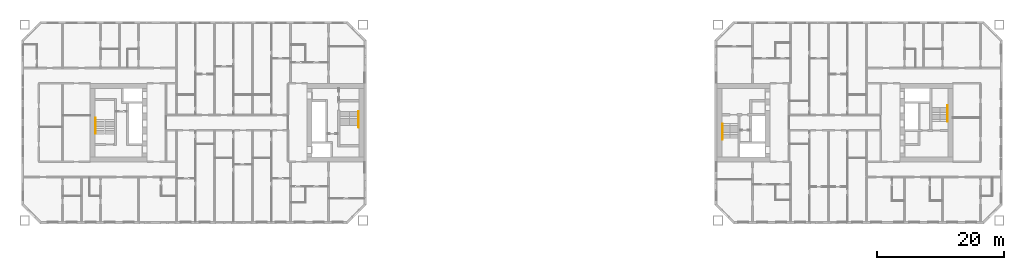
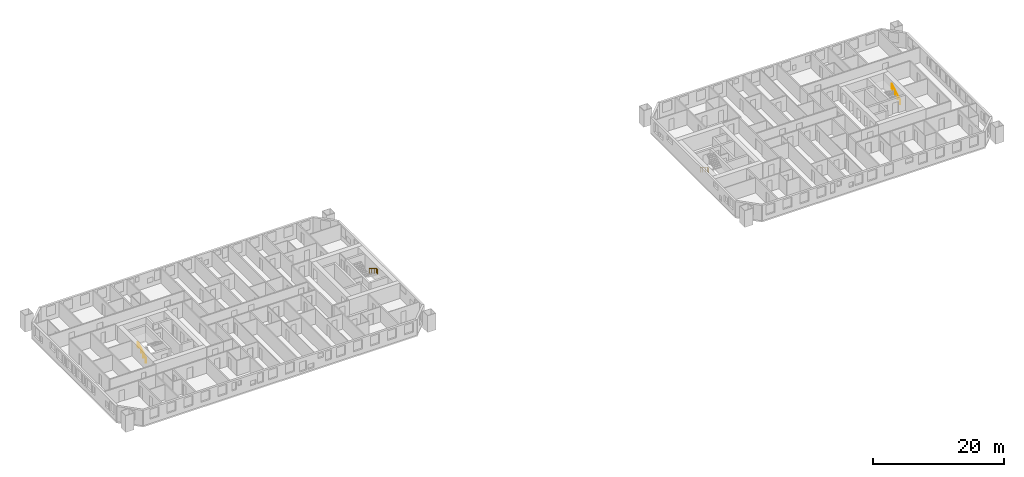
# One storey, part 19 of 19: 4 railings.
"""IFC4 building model written with IfcOpenShell, lengths in metres."""

from ifc_helpers import new_model, si_unit, direction, frame, origin, origin_2d, place, context, subcontext, project, spatial, circle, extrude, material, type_object, element, save


model = new_model("IFC4")

# Units and contexts
model_context = context("Model", 3, precision=1e-05, world=origin(), true_north=direction((0.0, 1.0)))
body_context = subcontext(model_context, "Body", "Model", "MODEL_VIEW")
ifc_project = project(units=[si_unit("LENGTHUNIT", "METRE"), si_unit("AREAUNIT", "SQUARE_METRE"), si_unit("VOLUMEUNIT", "CUBIC_METRE"), si_unit("PLANEANGLEUNIT", "RADIAN"), si_unit("MASSUNIT", "GRAM", prefix="KILO")], contexts=[model_context])

# Site, building, storey
site_placement = place(None, origin())
site = spatial("IfcSite", under=ifc_project, at=site_placement, CompositionType="ELEMENT")
building_placement = place(site_placement, origin())
building = spatial("IfcBuilding", under=site, at=building_placement, Name="Tuart Gate Housing", CompositionType="ELEMENT")
storey_placement = place(building_placement, frame((0.0, 0.0, 56.699951171875)))
storey = spatial("IfcBuildingStorey", under=building, at=storey_placement, Name="L15", CompositionType="ELEMENT", Elevation=56.699951171875)

# Railings
ifc_material = material(Name="Stainless steel", Category="steel")
railing_type = type_object("IfcRailingType", Name="Stair handrail 900", PredefinedType="HANDRAIL", material=ifc_material)
railing_1_placement = place(storey_placement, frame((74.780029296875, 71.77490234375, 0.17236328125)))
element("IfcRailing", 1, at=railing_1_placement, inside=storey, type_object=railing_type, Name="Stair handrail SA1.1", PredefinedType="HANDRAIL", context=body_context, shape_type="SweptSolid", body=[
    extrude(circle(Radius=0.02392578125, at=origin_2d()), frame((0.0, 0.0, 0.8759765625), z_axis=(0.0, -0.85178898068, 0.523885037382), x_axis=(1.0, 0.0, 0.0)), (0.0, 0.0, 1.0), 2.629638671875),
    extrude(circle(Radius=0.02392578125, at=origin_2d()), frame((0.0, -2.239990234375, 2.25341796875), z_axis=(0.0, -1.0, 0.0), x_axis=(1.0, 0.0, 0.0)), (0.0, 0.0, 1.0), 0.2998046875),
    extrude(circle(Radius=0.02099609375, at=origin_2d()), origin(), (0.0, 0.0, 1.0), 0.851806640625),
    extrude(circle(Radius=0.02099609375, at=origin_2d()), frame((0.0, -0.74658203125, 0.459228515625)), (0.0, 0.0, 1.0), 0.851806640625),
    extrude(circle(Radius=0.02099609375, at=origin_2d()), frame((0.0, -1.493408203125, 0.91845703125)), (0.0, 0.0, 1.0), 0.851806640625),
    extrude(circle(Radius=0.02099609375, at=origin_2d()), frame((0.0, -2.239990234375, 1.377685546875)), (0.0, 0.0, 1.0), 0.851806640625),
    extrude(circle(Radius=0.02099609375, at=origin_2d()), frame((0.0, -2.539794921875, 1.377685546875)), (0.0, 0.0, 1.0), 0.851806640625),
])
railing_2_placement = place(storey_placement, frame((33.219970703125, 68.22509765625, 0.17236328125)))
element("IfcRailing", 2, at=railing_2_placement, inside=storey, type_object=railing_type, Name="Stair handrail SA2.1", PredefinedType="HANDRAIL", context=body_context, shape_type="SweptSolid", body=[
    extrude(circle(Radius=0.02392578125, at=origin_2d()), frame((0.0, 0.0, 0.8759765625), z_axis=(0.0, 0.85178898068, 0.523885037382), x_axis=(-1.0, 0.0, 0.0)), (0.0, 0.0, 1.0), 2.629638671875),
    extrude(circle(Radius=0.02392578125, at=origin_2d()), frame((0.0, 2.239990234375, 2.25341796875), z_axis=(0.0, 1.0, 0.0), x_axis=(-1.0, 0.0, 0.0)), (0.0, 0.0, 1.0), 0.2998046875),
    extrude(circle(Radius=0.02099609375, at=origin_2d()), origin(), (0.0, 0.0, 1.0), 0.851806640625),
    extrude(circle(Radius=0.02099609375, at=origin_2d()), frame((0.0, 0.74658203125, 0.459228515625)), (0.0, 0.0, 1.0), 0.851806640625),
    extrude(circle(Radius=0.02099609375, at=origin_2d()), frame((0.0, 1.493408203125, 0.91845703125)), (0.0, 0.0, 1.0), 0.851806640625),
    extrude(circle(Radius=0.02099609375, at=origin_2d()), frame((0.0, 2.239990234375, 1.377685546875)), (0.0, 0.0, 1.0), 0.851806640625),
    extrude(circle(Radius=0.02099609375, at=origin_2d()), frame((0.0, 2.539794921875, 1.377685546875)), (0.0, 0.0, 1.0), 0.851806640625),
])
railing_3_placement = place(storey_placement, frame((132.219970703125, 69.824951171875, 0.17236328125)))
element("IfcRailing", 3, at=railing_3_placement, inside=storey, type_object=railing_type, Name="Stair handrail SB1.1", PredefinedType="HANDRAIL", context=body_context, shape_type="SweptSolid", body=[
    extrude(circle(Radius=0.02392578125, at=origin_2d()), frame((0.0, 0.0, 0.8759765625), z_axis=(0.0, -0.85178898068, 0.523885037382), x_axis=(1.0, 0.0, 0.0)), (0.0, 0.0, 1.0), 2.629638671875),
    extrude(circle(Radius=0.02392578125, at=origin_2d()), frame((0.0, -2.239990234375, 2.25341796875), z_axis=(0.0, -1.0, 0.0), x_axis=(1.0, 0.0, 0.0)), (0.0, 0.0, 1.0), 0.300048828125),
    extrude(circle(Radius=0.02099609375, at=origin_2d()), origin(), (0.0, 0.0, 1.0), 0.851806640625),
    extrude(circle(Radius=0.02099609375, at=origin_2d()), frame((0.0, -0.74658203125, 0.459228515625)), (0.0, 0.0, 1.0), 0.851806640625),
    extrude(circle(Radius=0.02099609375, at=origin_2d()), frame((0.0, -1.493408203125, 0.91845703125)), (0.0, 0.0, 1.0), 0.851806640625),
    extrude(circle(Radius=0.02099609375, at=origin_2d()), frame((0.0, -2.239990234375, 1.377685546875)), (0.0, 0.0, 1.0), 0.851806640625),
    extrude(circle(Radius=0.02099609375, at=origin_2d()), frame((0.0, -2.5400390625, 1.377685546875)), (0.0, 0.0, 1.0), 0.851806640625),
])
railing_4_placement = place(storey_placement, frame((167.780029296875, 70.175048828125, 0.17236328125)))
element("IfcRailing", 4, at=railing_4_placement, inside=storey, type_object=railing_type, Name="Stair handrail SB2.1", PredefinedType="HANDRAIL", context=body_context, shape_type="SweptSolid", body=[
    extrude(circle(Radius=0.02392578125, at=origin_2d()), frame((0.0, 0.0, 0.8759765625), z_axis=(0.0, 0.85178898068, 0.523885037382), x_axis=(-1.0, 0.0, 0.0)), (0.0, 0.0, 1.0), 2.629638671875),
    extrude(circle(Radius=0.02392578125, at=origin_2d()), frame((0.0, 2.239990234375, 2.25341796875), z_axis=(0.0, 1.0, 0.0), x_axis=(-1.0, 0.0, 0.0)), (0.0, 0.0, 1.0), 0.300048828125),
    extrude(circle(Radius=0.02099609375, at=origin_2d()), origin(), (0.0, 0.0, 1.0), 0.851806640625),
    extrude(circle(Radius=0.02099609375, at=origin_2d()), frame((0.0, 0.74658203125, 0.459228515625)), (0.0, 0.0, 1.0), 0.851806640625),
    extrude(circle(Radius=0.02099609375, at=origin_2d()), frame((0.0, 1.493408203125, 0.91845703125)), (0.0, 0.0, 1.0), 0.851806640625),
    extrude(circle(Radius=0.02099609375, at=origin_2d()), frame((0.0, 2.239990234375, 1.377685546875)), (0.0, 0.0, 1.0), 0.851806640625),
    extrude(circle(Radius=0.02099609375, at=origin_2d()), frame((0.0, 2.5400390625, 1.377685546875)), (0.0, 0.0, 1.0), 0.851806640625),
])

save(model, "model.ifc")
